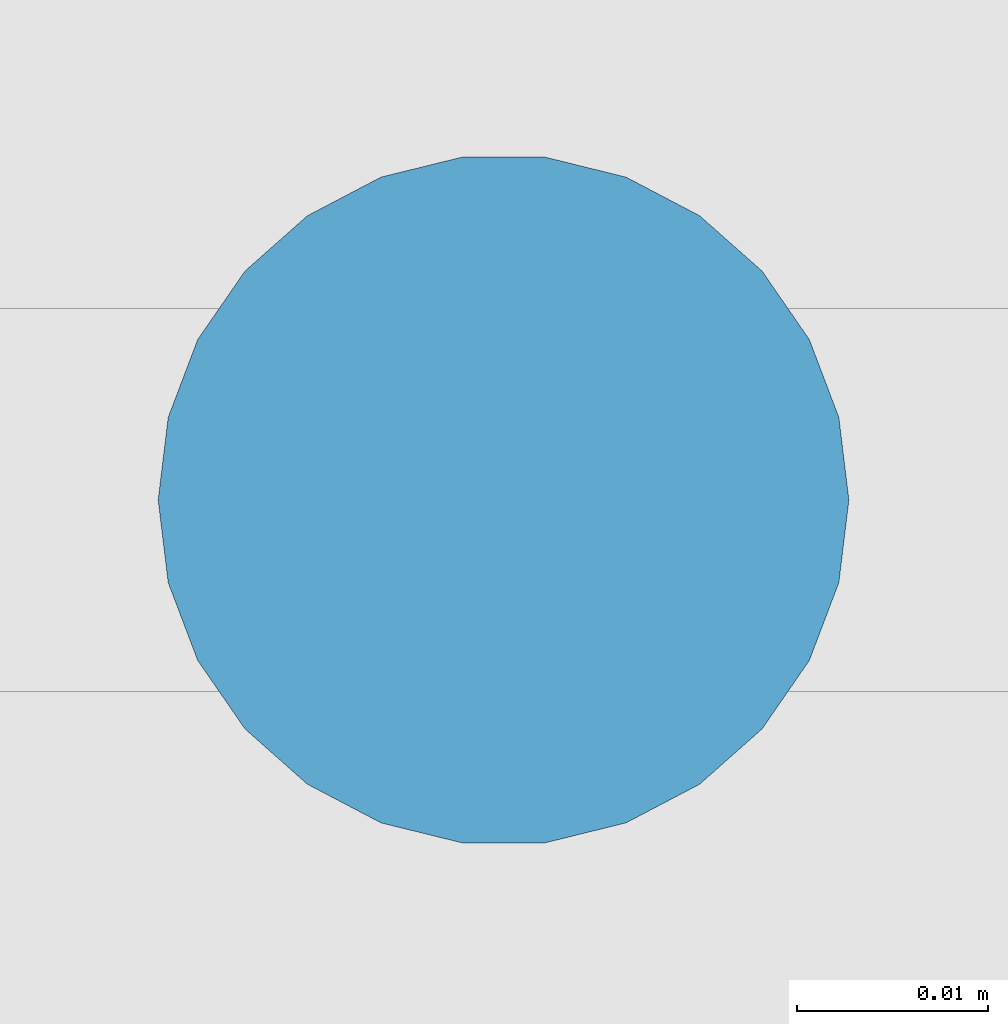
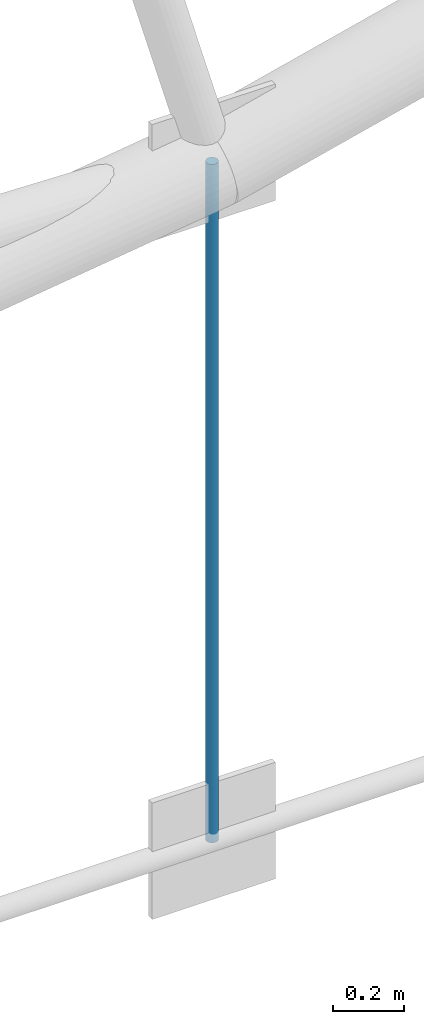
# One storey, part 164 of 321: 1 member.
"""IFC4 building model written with IfcOpenShell, lengths in metres."""

from ifc_helpers import new_model, si_unit, direction, frame, origin, origin_2d, place, context, subcontext, project, spatial, circle, extrude, material, material_profile, profile_set, type_object, element, save


model = new_model("IFC4")

# Units and contexts
model_context = context("Model", 3, precision=1e-05, world=origin(), true_north=direction((0.0, 1.0)))
body_context = subcontext(model_context, "Body", "Model", "MODEL_VIEW")
ifc_project = project(units=[si_unit("LENGTHUNIT", "METRE"), si_unit("AREAUNIT", "SQUARE_METRE"), si_unit("VOLUMEUNIT", "CUBIC_METRE"), si_unit("PLANEANGLEUNIT", "RADIAN"), si_unit("MASSUNIT", "GRAM", prefix="KILO")], contexts=[model_context])

# Site, building, storey
site_placement = place(None, origin())
site = spatial("IfcSite", under=ifc_project, at=site_placement, CompositionType="ELEMENT")
building_placement = place(site_placement, origin())
building = spatial("IfcBuilding", under=site, at=building_placement, Name="Ravi Spectrum Wholesale Market", CompositionType="ELEMENT")
storey_placement = place(building_placement, frame((0.0, 0.0, 10.800048828125)))
storey = spatial("IfcBuildingStorey", under=building, at=storey_placement, Name="L02", CompositionType="ELEMENT", Elevation=10.800048828125)

# Member
ifc_material = material(Name="Steel S355", Category="steel")
ifc_material_profile = material_profile(ifc_material, circle(Radius=0.01806640625, at=origin_2d()))
ifc_profile_set = profile_set([ifc_material_profile], Name="Steel S355")
member_type = type_object("IfcMemberType", Name="ROD 36 hanger", PredefinedType="STRUT", material=ifc_profile_set)
member_placement = place(storey_placement, frame((43.55029296875, 186.0, 0.023193359375), z_axis=(0.0, 0.0, 1.0), x_axis=(1.0, 0.0, 0.0)))
element("IfcMember", 1, at=member_placement, inside=storey, type_object=member_type, Name="H1-MB-L02-1130", PredefinedType="STRUT", context=body_context, shape_type="SweptSolid", body=[
    extrude(circle(Radius=0.01806640625, at=origin_2d()), origin(), (0.0, 0.0, 1.0), 2.328857421875),
])

save(model, "model.ifc")
